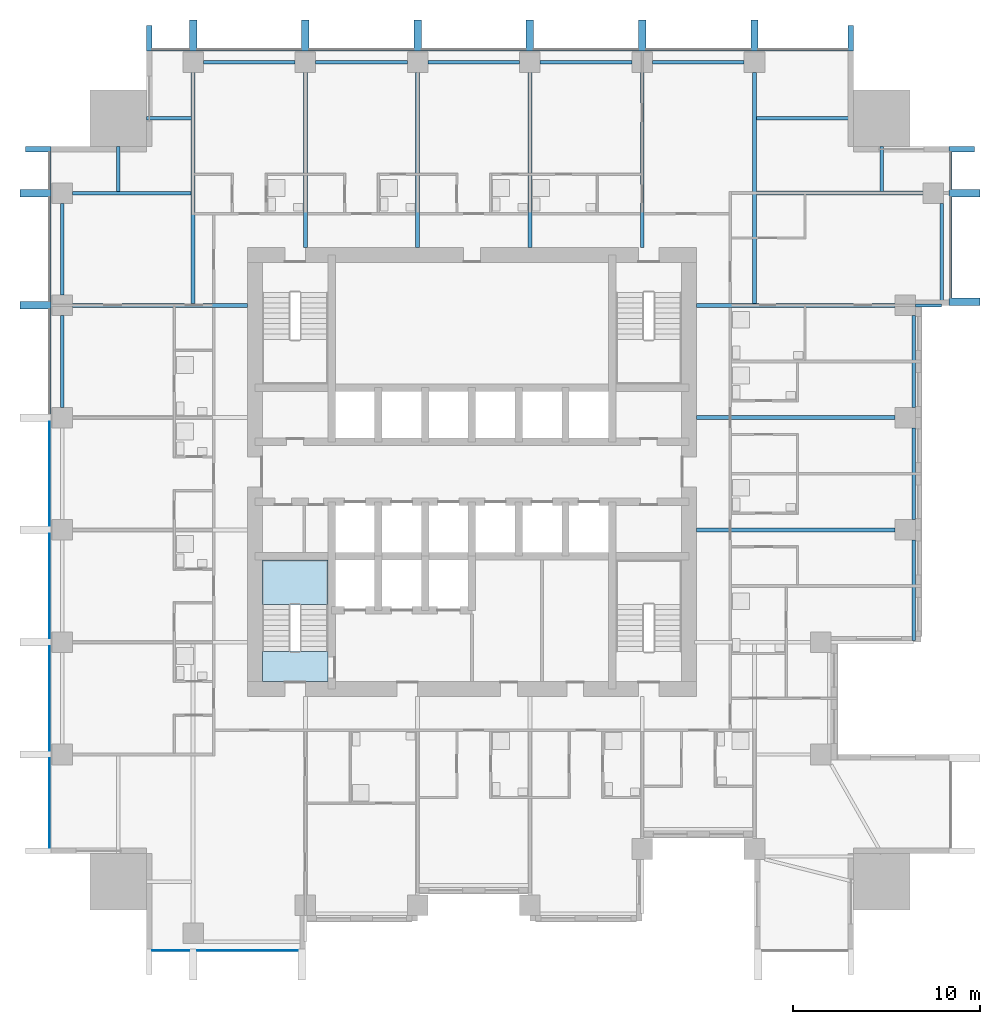
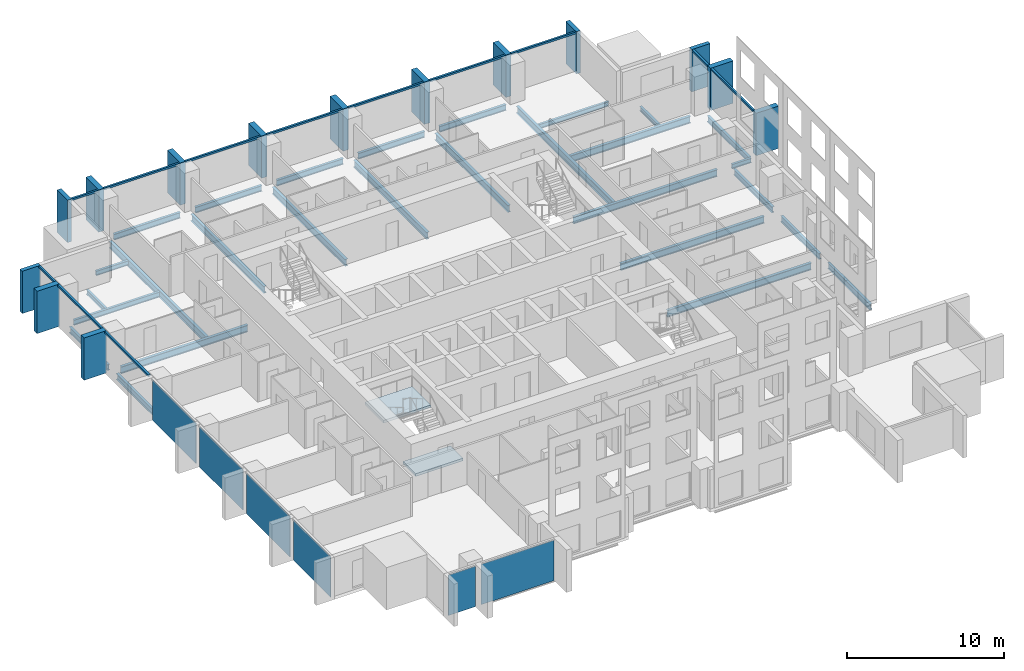
# One storey, part 2 of 12: 28 beams, 26 members, 6 plates, 2 slabs, 5 elements without a shape of their own.
"""IFC4 building model written with IfcOpenShell, lengths in metres."""

from ifc_helpers import new_model, si_unit, direction, frame, origin, origin_2d, place, context, subcontext, project, spatial, polyline, rectangle, i_section, outline, extrude, material, layer, layer_set, material_profile, profile_set, type_object, element, aggregate, save


model = new_model("IFC4")

# Units and contexts
model_context = context("Model", 3, precision=1e-05, world=origin(), true_north=direction((0.0, 1.0)))
body_context = subcontext(model_context, "Body", "Model", "MODEL_VIEW")
ifc_project = project(units=[si_unit("LENGTHUNIT", "METRE"), si_unit("AREAUNIT", "SQUARE_METRE"), si_unit("VOLUMEUNIT", "CUBIC_METRE"), si_unit("PLANEANGLEUNIT", "RADIAN"), si_unit("MASSUNIT", "GRAM", prefix="KILO")], contexts=[model_context])

# Site, building, storey
site_placement = place(None, origin())
site = spatial("IfcSite", under=ifc_project, at=site_placement, CompositionType="ELEMENT")
building_placement = place(site_placement, origin())
building = spatial("IfcBuilding", under=site, at=building_placement, Name="Amberfall Residences", CompositionType="ELEMENT")
storey_placement = place(building_placement, frame((0.0, 0.0, 88.60009765625)))
storey = spatial("IfcBuildingStorey", under=building, at=storey_placement, Name="L23", CompositionType="ELEMENT", Elevation=88.60009765625)

# Curtain wall, members
ifc_material_1 = material(Name="Bronze anodised aluminium and glass", Category="aluminium")
curtain_wall_type = type_object("IfcCurtainWallType", Name="Curtain wall CW1 tower unit", PredefinedType="USERDEFINED", material=ifc_material_1)
curtain_wall_1_placement = place(storey_placement, origin())
curtain_wall_1 = element("IfcCurtainWall", 1, at=curtain_wall_1_placement, inside=storey, type_object=curtain_wall_type, Name="Curtain wall L23 E E9", ObjectType="UNITISED CURTAIN WALL", PredefinedType="USERDEFINED")
ifc_material_2 = material(Name="Bronze anodised aluminium", Category="aluminium")
ifc_material_profile_1 = material_profile(ifc_material_2, rectangle(XDim=0.14990234375, YDim=0.14990234375, at=origin_2d()), Name="CW1 transom 150 x 150 bronze")
ifc_profile_set_1 = profile_set([ifc_material_profile_1], Name="Bronze anodised aluminium")
member_type_1 = type_object("IfcMemberType", Name="CW1 transom 150 x 150 bronze", PredefinedType="USERDEFINED", material=ifc_profile_set_1)
member_1_placement = place(storey_placement, frame((100.074951171875, 54.800048828125, 2.974853515625), z_axis=(0.0, 1.0, 0.0), x_axis=(-1.0, 0.0, 0.0)))
member_1 = element("IfcMember", 2, at=member_1_placement, type_object=member_type_1, Name="CW1 transom 1.1", ObjectType="TRANSOM", PredefinedType="USERDEFINED", context=body_context, shape_type="SweptSolid", body=[
    extrude(rectangle(XDim=0.14990234375, YDim=0.14990234375, at=origin_2d()), origin(), (0.0, 0.0, 1.0), 5.39990234375),
])
member_2_placement = place(storey_placement, frame((100.074951171875, 60.60009765625, 2.974853515625), z_axis=(0.0, 1.0, 0.0), x_axis=(-1.0, 0.0, 0.0)))
member_2 = element("IfcMember", 3, at=member_2_placement, type_object=member_type_1, Name="CW1 transom 2.1", ObjectType="TRANSOM", PredefinedType="USERDEFINED", context=body_context, shape_type="SweptSolid", body=[
    extrude(rectangle(XDim=0.14990234375, YDim=0.14990234375, at=origin_2d()), origin(), (0.0, 0.0, 1.0), 2.0),
])

curtain_wall_2_placement = place(storey_placement, origin())
curtain_wall_2 = element("IfcCurtainWall", 4, at=curtain_wall_2_placement, inside=storey, type_object=curtain_wall_type, Name="Curtain wall L23 N N1", ObjectType="UNITISED CURTAIN WALL", PredefinedType="USERDEFINED")
member_3_placement = place(storey_placement, frame((94.60009765625, 68.074951171875, 2.974853515625), z_axis=(-1.0, 0.0, 0.0), x_axis=(0.0, -1.0, 0.0)))
member_3 = element("IfcMember", 5, at=member_3_placement, type_object=member_type_1, Name="CW1 transom 1.1", ObjectType="TRANSOM", PredefinedType="USERDEFINED", context=body_context, shape_type="SweptSolid", body=[
    extrude(rectangle(XDim=0.14990234375, YDim=0.14990234375, at=origin_2d()), origin(), (0.0, 0.0, 1.0), 4.800048828125),
])
member_4_placement = place(storey_placement, frame((89.39990234375, 68.074951171875, 2.974853515625), z_axis=(-1.0, 0.0, 0.0), x_axis=(0.0, -1.0, 0.0)))
member_4 = element("IfcMember", 6, at=member_4_placement, type_object=member_type_1, Name="CW1 transom 2.1", ObjectType="TRANSOM", PredefinedType="USERDEFINED", context=body_context, shape_type="SweptSolid", body=[
    extrude(rectangle(XDim=0.14990234375, YDim=0.14990234375, at=origin_2d()), origin(), (0.0, 0.0, 1.0), 5.599853515625),
])
member_5_placement = place(storey_placement, frame((83.39990234375, 68.074951171875, 2.974853515625), z_axis=(-1.0, 0.0, 0.0), x_axis=(0.0, -1.0, 0.0)))
member_5 = element("IfcMember", 7, at=member_5_placement, type_object=member_type_1, Name="CW1 transom 3.1", ObjectType="TRANSOM", PredefinedType="USERDEFINED", context=body_context, shape_type="SweptSolid", body=[
    extrude(rectangle(XDim=0.14990234375, YDim=0.14990234375, at=origin_2d()), origin(), (0.0, 0.0, 1.0), 5.599853515625),
])
member_6_placement = place(storey_placement, frame((77.39990234375, 68.074951171875, 2.974853515625), z_axis=(-1.0, 0.0, 0.0), x_axis=(0.0, -1.0, 0.0)))
member_6 = element("IfcMember", 8, at=member_6_placement, type_object=member_type_1, Name="CW1 transom 4.1", ObjectType="TRANSOM", PredefinedType="USERDEFINED", context=body_context, shape_type="SweptSolid", body=[
    extrude(rectangle(XDim=0.14990234375, YDim=0.14990234375, at=origin_2d()), origin(), (0.0, 0.0, 1.0), 5.599853515625),
])
member_7_placement = place(storey_placement, frame((71.39990234375, 68.074951171875, 2.974853515625), z_axis=(-1.0, 0.0, 0.0), x_axis=(0.0, -1.0, 0.0)))
member_7 = element("IfcMember", 9, at=member_7_placement, type_object=member_type_1, Name="CW1 transom 5.1", ObjectType="TRANSOM", PredefinedType="USERDEFINED", context=body_context, shape_type="SweptSolid", body=[
    extrude(rectangle(XDim=0.14990234375, YDim=0.14990234375, at=origin_2d()), origin(), (0.0, 0.0, 1.0), 5.599853515625),
])
member_8_placement = place(storey_placement, frame((65.39990234375, 68.074951171875, 2.974853515625), z_axis=(-1.0, 0.0, 0.0), x_axis=(0.0, -1.0, 0.0)))
member_8 = element("IfcMember", 10, at=member_8_placement, type_object=member_type_1, Name="CW1 transom 6.1", ObjectType="TRANSOM", PredefinedType="USERDEFINED", context=body_context, shape_type="SweptSolid", body=[
    extrude(rectangle(XDim=0.14990234375, YDim=0.14990234375, at=origin_2d()), origin(), (0.0, 0.0, 1.0), 5.599853515625),
])
member_9_placement = place(storey_placement, frame((59.39990234375, 68.074951171875, 2.974853515625), z_axis=(-1.0, 0.0, 0.0), x_axis=(0.0, -1.0, 0.0)))
member_9 = element("IfcMember", 11, at=member_9_placement, type_object=member_type_1, Name="CW1 transom 7.1", ObjectType="TRANSOM", PredefinedType="USERDEFINED", context=body_context, shape_type="SweptSolid", body=[
    extrude(rectangle(XDim=0.14990234375, YDim=0.14990234375, at=origin_2d()), origin(), (0.0, 0.0, 1.0), 2.0),
])

curtain_wall_3_placement = place(storey_placement, origin())
curtain_wall_3 = element("IfcCurtainWall", 12, at=curtain_wall_3_placement, inside=storey, type_object=curtain_wall_type, Name="Curtain wall L23 W W1", ObjectType="UNITISED CURTAIN WALL", PredefinedType="USERDEFINED")
member_10_placement = place(storey_placement, frame((51.925048828125, 62.60009765625, 2.974853515625), z_axis=(0.0, -1.0, 0.0), x_axis=(1.0, 0.0, 0.0)))
member_10 = element("IfcMember", 13, at=member_10_placement, type_object=member_type_1, Name="CW1 transom 1.1", ObjectType="TRANSOM", PredefinedType="USERDEFINED", context=body_context, shape_type="SweptSolid", body=[
    extrude(rectangle(XDim=0.14990234375, YDim=0.14990234375, at=origin_2d()), origin(), (0.0, 0.0, 1.0), 2.0),
])
member_11_placement = place(storey_placement, frame((51.925048828125, 60.199951171875, 2.974853515625), z_axis=(0.0, -1.0, 0.0), x_axis=(1.0, 0.0, 0.0)))
member_11 = element("IfcMember", 14, at=member_11_placement, type_object=member_type_1, Name="CW1 transom 2.1", ObjectType="TRANSOM", PredefinedType="USERDEFINED", context=body_context, shape_type="SweptSolid", body=[
    extrude(rectangle(XDim=0.14990234375, YDim=0.14990234375, at=origin_2d()), origin(), (0.0, 0.0, 1.0), 5.599853515625),
])
member_12_placement = place(storey_placement, frame((51.925048828125, 54.199951171875, 2.974853515625), z_axis=(0.0, -1.0, 0.0), x_axis=(1.0, 0.0, 0.0)))
member_12 = element("IfcMember", 15, at=member_12_placement, type_object=member_type_1, Name="CW1 transom 3.1", ObjectType="TRANSOM", PredefinedType="USERDEFINED", context=body_context, shape_type="SweptSolid", body=[
    extrude(rectangle(XDim=0.14990234375, YDim=0.14990234375, at=origin_2d()), origin(), (0.0, 0.0, 1.0), 5.599853515625),
])

# Beam
ifc_material_3 = material(Name="Steel S355", Category="steel")
ifc_material_profile_2 = material_profile(ifc_material_3, i_section(OverallWidth=0.171142578125, OverallDepth=0.351318359375, WebThickness=0.007080078125, FlangeThickness=0.009765625, FilletRadius=0.01025390625, at=origin_2d()), Name="UB 356x171x45")
ifc_profile_set_2 = profile_set([ifc_material_profile_2], Name="Steel S355")
beam_type_1 = type_object("IfcBeamType", Name="Cantilever girder UB 356x171x45", PredefinedType="BEAM", material=ifc_profile_set_2)
beam_1_placement = place(storey_placement, frame((98.199951171875, 54.39990234375, -0.42578125), z_axis=(1.0, 0.0, 0.0), x_axis=(0.0, 1.0, 0.0)))
element("IfcBeam", 16, at=beam_1_placement, inside=storey, type_object=beam_type_1, Name="Cantilever girder B8 L23 20", PredefinedType="BEAM", context=body_context, shape_type="SweptSolid", body=[
    extrude(i_section(OverallWidth=0.171142578125, OverallDepth=0.351318359375, WebThickness=0.007080078125, FlangeThickness=0.009765625, FilletRadius=0.01025390625, at=origin_2d()), origin(), (0.0, 0.0, 1.0), 1.400146484375),
])

# Member
ifc_material_profile_3 = material_profile(ifc_material_2, rectangle(XDim=1.35009765625, YDim=0.300048828125, at=origin_2d()), Name="Corner fin 300 x 1350 bronze")
ifc_profile_set_3 = profile_set([ifc_material_profile_3], Name="Bronze anodised aluminium")
member_type_2 = type_object("IfcMemberType", Name="Corner fin 300 x 1350 bronze", PredefinedType="MULLION", material=ifc_profile_set_3)
member_13_placement = place(storey_placement, frame((100.675048828125, 62.75, -0.25), z_axis=(0.0, 0.0, 1.0), x_axis=(-1.0, 0.0, 0.0)))
member_13 = element("IfcMember", 17, at=member_13_placement, type_object=member_type_2, Name="CW FIN 3", PredefinedType="MULLION", context=body_context, shape_type="SweptSolid", body=[
    extrude(rectangle(XDim=1.35009765625, YDim=0.300048828125, at=origin_2d()), origin(), (0.0, 0.0, 1.0), 3.2998046875),
])

member_14_placement = place(storey_placement, frame((94.75, 68.675048828125, -0.25), z_axis=(0.0, 0.0, 1.0), x_axis=(0.0, -1.0, 0.0)))
member_14 = element("IfcMember", 18, at=member_14_placement, type_object=member_type_2, Name="CW FIN 1", PredefinedType="MULLION", context=body_context, shape_type="SweptSolid", body=[
    extrude(rectangle(XDim=1.35009765625, YDim=0.300048828125, at=origin_2d()), origin(), (0.0, 0.0, 1.0), 3.2998046875),
])

member_15_placement = place(storey_placement, frame((57.25, 68.675048828125, -0.25), z_axis=(0.0, 0.0, 1.0), x_axis=(0.0, -1.0, 0.0)))
member_15 = element("IfcMember", 19, at=member_15_placement, type_object=member_type_2, Name="CW FIN 8", PredefinedType="MULLION", context=body_context, shape_type="SweptSolid", body=[
    extrude(rectangle(XDim=1.35009765625, YDim=0.300048828125, at=origin_2d()), origin(), (0.0, 0.0, 1.0), 3.2998046875),
])

member_16_placement = place(storey_placement, frame((51.324951171875, 62.75, -0.25), z_axis=(0.0, 0.0, 1.0), x_axis=(1.0, 0.0, 0.0)))
member_16 = element("IfcMember", 20, at=member_16_placement, type_object=member_type_2, Name="CW FIN 1", PredefinedType="MULLION", context=body_context, shape_type="SweptSolid", body=[
    extrude(rectangle(XDim=1.35009765625, YDim=0.300048828125, at=origin_2d()), origin(), (0.0, 0.0, 1.0), 3.2998046875),
])

# Beams
ifc_material_profile_4 = material_profile(ifc_material_3, i_section(OverallWidth=0.18994140625, OverallDepth=0.453369140625, WebThickness=0.008544921875, FlangeThickness=0.0126953125, FilletRadius=0.01025390625, at=origin_2d()), Name="UB 457x191x67")
ifc_profile_set_4 = profile_set([ifc_material_profile_4], Name="Steel S355")
beam_type_2 = type_object("IfcBeamType", Name="Edge beam UB 457x191x67", PredefinedType="SPANDREL", material=ifc_profile_set_4)
beam_2_placement = place(storey_placement, frame((98.10009765625, 36.47998046875, -0.476806640625), z_axis=(0.0, 1.0, 0.0), x_axis=(-1.0, 0.0, 0.0)))
element("IfcBeam", 21, at=beam_2_placement, inside=storey, type_object=beam_type_2, Name="Edge beam B1 L23 15", PredefinedType="SPANDREL", context=body_context, shape_type="SweptSolid", body=[
    extrude(i_section(OverallWidth=0.18994140625, OverallDepth=0.453369140625, WebThickness=0.008544921875, FlangeThickness=0.0126953125, FilletRadius=0.01025390625, at=origin_2d()), origin(), (0.0, 0.0, 1.0), 5.3701171875),
])
for number, where, z_axis, x_axis, name in (
    (22, (98.10009765625, 42.949951171875, -0.476806640625), (0.0, 1.0, 0.0), (-1.0, 0.0, 0.0), "Edge beam B1 L23 16"),
    (23, (98.10009765625, 48.949951171875, -0.476806640625), (0.0, 1.0, 0.0), (-1.0, 0.0, 0.0), "Edge beam B1 L23 17"),
):
    element("IfcBeam", number, at=place(storey_placement, frame(where, z_axis=z_axis, x_axis=x_axis)), inside=storey, type_object=beam_type_2, Name=name, PredefinedType="SPANDREL", context=body_context, shape_type="SweptSolid", body=[
        extrude(i_section(OverallWidth=0.18994140625, OverallDepth=0.453369140625, WebThickness=0.008544921875, FlangeThickness=0.0126953125, FilletRadius=0.01025390625, at=origin_2d()), origin(), (0.0, 0.0, 1.0), 4.900146484375),
    ])
beam_3_placement = place(storey_placement, frame((99.60009765625, 54.47998046875, -0.476806640625), z_axis=(0.0, 1.0, 0.0), x_axis=(-1.0, 0.0, 0.0)))
element("IfcBeam", 24, at=beam_3_placement, inside=storey, type_object=beam_type_2, Name="Edge beam B1 L23 18", PredefinedType="SPANDREL", context=body_context, shape_type="SweptSolid", body=[
    extrude(i_section(OverallWidth=0.18994140625, OverallDepth=0.453369140625, WebThickness=0.008544921875, FlangeThickness=0.0126953125, FilletRadius=0.01025390625, at=origin_2d()), origin(), (0.0, 0.0, 1.0), 5.3701171875),
])
for number, where, z_axis, x_axis, name in (
    (25, (60.14990234375, 67.39990234375, -0.476806640625), (1.0, 0.0, 0.0), (0.0, 1.0, 0.0), "Edge beam B1 L23 27"),
    (26, (66.14990234375, 67.39990234375, -0.476806640625), (1.0, 0.0, 0.0), (0.0, 1.0, 0.0), "Edge beam B1 L23 28"),
    (27, (72.14990234375, 67.39990234375, -0.476806640625), (1.0, 0.0, 0.0), (0.0, 1.0, 0.0), "Edge beam B1 L23 29"),
    (28, (78.14990234375, 67.39990234375, -0.476806640625), (1.0, 0.0, 0.0), (0.0, 1.0, 0.0), "Edge beam B1 L23 30"),
    (29, (84.14990234375, 67.39990234375, -0.476806640625), (1.0, 0.0, 0.0), (0.0, 1.0, 0.0), "Edge beam B1 L23 31"),
    (30, (52.60009765625, 48.949951171875, -0.476806640625), (0.0, 1.0, 0.0), (-1.0, 0.0, 0.0), "Edge beam B1 L23 41"),
    (31, (52.60009765625, 54.949951171875, -0.476806640625), (0.0, 1.0, 0.0), (-1.0, 0.0, 0.0), "Edge beam B1 L23 42"),
):
    element("IfcBeam", number, at=place(storey_placement, frame(where, z_axis=z_axis, x_axis=x_axis)), inside=storey, type_object=beam_type_2, Name=name, PredefinedType="SPANDREL", context=body_context, shape_type="SweptSolid", body=[
        extrude(i_section(OverallWidth=0.18994140625, OverallDepth=0.453369140625, WebThickness=0.008544921875, FlangeThickness=0.0126953125, FilletRadius=0.01025390625, at=origin_2d()), origin(), (0.0, 0.0, 1.0), 4.900146484375),
    ])

# Member
ifc_material_profile_5 = material_profile(ifc_material_2, rectangle(XDim=1.64990234375, YDim=0.39990234375, at=origin_2d()), Name="Fin 400 x 1650 bronze")
ifc_profile_set_5 = profile_set([ifc_material_profile_5], Name="Bronze anodised aluminium")
member_type_3 = type_object("IfcMemberType", Name="Fin 400 x 1650 bronze", PredefinedType="MULLION", material=ifc_profile_set_5)
member_17_placement = place(storey_placement, frame((100.824951171875, 54.60009765625, -0.25), z_axis=(0.0, 0.0, 1.0), x_axis=(-1.0, 0.0, 0.0)))
member_17 = element("IfcMember", 32, at=member_17_placement, type_object=member_type_3, Name="CW FIN 1", PredefinedType="MULLION", context=body_context, shape_type="SweptSolid", body=[
    extrude(rectangle(XDim=1.64990234375, YDim=0.39990234375, at=origin_2d()), origin(), (0.0, 0.0, 1.0), 3.2998046875),
])

member_18_placement = place(storey_placement, frame((100.824951171875, 60.39990234375, -0.25), z_axis=(0.0, 0.0, 1.0), x_axis=(-1.0, 0.0, 0.0)))
member_18 = element("IfcMember", 33, at=member_18_placement, type_object=member_type_3, Name="CW FIN 2", PredefinedType="MULLION", context=body_context, shape_type="SweptSolid", body=[
    extrude(rectangle(XDim=1.64990234375, YDim=0.39990234375, at=origin_2d()), origin(), (0.0, 0.0, 1.0), 3.2998046875),
])

aggregate(curtain_wall_1, [member_17, member_18, member_13, member_1, member_2])

member_19_placement = place(storey_placement, frame((89.60009765625, 68.824951171875, -0.25), z_axis=(0.0, 0.0, 1.0), x_axis=(0.0, -1.0, 0.0)))
member_19 = element("IfcMember", 34, at=member_19_placement, type_object=member_type_3, Name="CW FIN 2", PredefinedType="MULLION", context=body_context, shape_type="SweptSolid", body=[
    extrude(rectangle(XDim=1.64990234375, YDim=0.39990234375, at=origin_2d()), origin(), (0.0, 0.0, 1.0), 3.2998046875),
])

member_20_placement = place(storey_placement, frame((83.60009765625, 68.824951171875, -0.25), z_axis=(0.0, 0.0, 1.0), x_axis=(0.0, -1.0, 0.0)))
member_20 = element("IfcMember", 35, at=member_20_placement, type_object=member_type_3, Name="CW FIN 3", PredefinedType="MULLION", context=body_context, shape_type="SweptSolid", body=[
    extrude(rectangle(XDim=1.64990234375, YDim=0.39990234375, at=origin_2d()), origin(), (0.0, 0.0, 1.0), 3.2998046875),
])

member_21_placement = place(storey_placement, frame((77.60009765625, 68.824951171875, -0.25), z_axis=(0.0, 0.0, 1.0), x_axis=(0.0, -1.0, 0.0)))
member_21 = element("IfcMember", 36, at=member_21_placement, type_object=member_type_3, Name="CW FIN 4", PredefinedType="MULLION", context=body_context, shape_type="SweptSolid", body=[
    extrude(rectangle(XDim=1.64990234375, YDim=0.39990234375, at=origin_2d()), origin(), (0.0, 0.0, 1.0), 3.2998046875),
])

member_22_placement = place(storey_placement, frame((71.60009765625, 68.824951171875, -0.25), z_axis=(0.0, 0.0, 1.0), x_axis=(0.0, -1.0, 0.0)))
member_22 = element("IfcMember", 37, at=member_22_placement, type_object=member_type_3, Name="CW FIN 5", PredefinedType="MULLION", context=body_context, shape_type="SweptSolid", body=[
    extrude(rectangle(XDim=1.64990234375, YDim=0.39990234375, at=origin_2d()), origin(), (0.0, 0.0, 1.0), 3.2998046875),
])

member_23_placement = place(storey_placement, frame((65.60009765625, 68.824951171875, -0.25), z_axis=(0.0, 0.0, 1.0), x_axis=(0.0, -1.0, 0.0)))
member_23 = element("IfcMember", 38, at=member_23_placement, type_object=member_type_3, Name="CW FIN 6", PredefinedType="MULLION", context=body_context, shape_type="SweptSolid", body=[
    extrude(rectangle(XDim=1.64990234375, YDim=0.39990234375, at=origin_2d()), origin(), (0.0, 0.0, 1.0), 3.2998046875),
])

member_24_placement = place(storey_placement, frame((59.60009765625, 68.824951171875, -0.25), z_axis=(0.0, 0.0, 1.0), x_axis=(0.0, -1.0, 0.0)))
member_24 = element("IfcMember", 39, at=member_24_placement, type_object=member_type_3, Name="CW FIN 7", PredefinedType="MULLION", context=body_context, shape_type="SweptSolid", body=[
    extrude(rectangle(XDim=1.64990234375, YDim=0.39990234375, at=origin_2d()), origin(), (0.0, 0.0, 1.0), 3.2998046875),
])

aggregate(curtain_wall_2, [member_14, member_19, member_20, member_21, member_22, member_23, member_24, member_15, member_3, member_4, member_5, member_6, member_7, member_8, member_9])

member_25_placement = place(storey_placement, frame((51.175048828125, 60.39990234375, -0.25), z_axis=(0.0, 0.0, 1.0), x_axis=(1.0, 0.0, 0.0)))
member_25 = element("IfcMember", 40, at=member_25_placement, type_object=member_type_3, Name="CW FIN 2", PredefinedType="MULLION", context=body_context, shape_type="SweptSolid", body=[
    extrude(rectangle(XDim=1.64990234375, YDim=0.39990234375, at=origin_2d()), origin(), (0.0, 0.0, 1.0), 3.2998046875),
])

member_26_placement = place(storey_placement, frame((51.175048828125, 54.39990234375, -0.25), z_axis=(0.0, 0.0, 1.0), x_axis=(1.0, 0.0, 0.0)))
member_26 = element("IfcMember", 41, at=member_26_placement, type_object=member_type_3, Name="CW FIN 3", PredefinedType="MULLION", context=body_context, shape_type="SweptSolid", body=[
    extrude(rectangle(XDim=1.64990234375, YDim=0.39990234375, at=origin_2d()), origin(), (0.0, 0.0, 1.0), 3.2998046875),
])

# Beams
ifc_material_profile_6 = material_profile(ifc_material_3, i_section(OverallWidth=0.177734375, OverallDepth=0.402587890625, WebThickness=0.0078125, FlangeThickness=0.010986328125, FilletRadius=0.01025390625, at=origin_2d()), Name="UB 406x178x54")
ifc_profile_set_6 = profile_set([ifc_material_profile_6], Name="Steel S355")
beam_type_3 = type_object("IfcBeamType", Name="Floor girder UB 406x178x54", PredefinedType="BEAM", material=ifc_profile_set_6)
beam_4_placement = place(storey_placement, frame((53.14990234375, 60.39990234375, -0.451416015625), z_axis=(1.0, 0.0, 0.0), x_axis=(0.0, 1.0, 0.0)))
element("IfcBeam", 42, at=beam_4_placement, inside=storey, type_object=beam_type_3, Name="Floor girder B4 L23 48", PredefinedType="BEAM", context=body_context, shape_type="SweptSolid", body=[
    extrude(i_section(OverallWidth=0.177734375, OverallDepth=0.402587890625, WebThickness=0.0078125, FlangeThickness=0.010986328125, FilletRadius=0.01025390625, at=origin_2d()), origin(), (0.0, 0.0, 1.0), 6.330078125),
])
ifc_material_profile_7 = material_profile(ifc_material_3, i_section(OverallWidth=0.210693359375, OverallDepth=0.53955078125, WebThickness=0.01171875, FlangeThickness=0.018798828125, FilletRadius=0.0126953125, at=origin_2d()), Name="UB 533x210x109")
ifc_profile_set_7 = profile_set([ifc_material_profile_7], Name="Steel S355")
beam_type_4 = type_object("IfcBeamType", Name="Floor girder UB 533x210x109", PredefinedType="BEAM", material=ifc_profile_set_7)
for number, where, z_axis, x_axis, name in (
    (43, (59.60009765625, 66.85009765625, -0.519775390625), (0.0, -1.0, 0.0), (1.0, 0.0, 0.0), "Floor girder B2 L23 32"),
    (44, (89.60009765625, 66.85009765625, -0.519775390625), (0.0, -1.0, 0.0), (1.0, 0.0, 0.0), "Floor girder B2 L23 37"),
):
    element("IfcBeam", number, at=place(storey_placement, frame(where, z_axis=z_axis, x_axis=x_axis)), inside=storey, type_object=beam_type_4, Name=name, PredefinedType="BEAM", context=body_context, shape_type="SweptSolid", body=[
        extrude(i_section(OverallWidth=0.210693359375, OverallDepth=0.53955078125, WebThickness=0.01171875, FlangeThickness=0.018798828125, FilletRadius=0.0126953125, at=origin_2d()), origin(), (0.0, 0.0, 1.0), 12.3505859375),
    ])
ifc_material_profile_8 = material_profile(ifc_material_3, i_section(OverallWidth=0.209228515625, OverallDepth=0.533203125, WebThickness=0.010009765625, FlangeThickness=0.015625, FilletRadius=0.0126953125, at=origin_2d()), Name="UB 533x210x92")
ifc_profile_set_8 = profile_set([ifc_material_profile_8], Name="Steel S355")
beam_type_5 = type_object("IfcBeamType", Name="Floor girder UB 533x210x92", PredefinedType="BEAM", material=ifc_profile_set_8)
for number, where, z_axis, x_axis, name in (
    (45, (97.10009765625, 42.39990234375, -0.5166015625), (-1.0, 0.0, 0.0), (0.0, -1.0, 0.0), "Floor girder B3 L23 23"),
    (46, (97.10009765625, 48.39990234375, -0.5166015625), (-1.0, 0.0, 0.0), (0.0, -1.0, 0.0), "Floor girder B3 L23 24"),
    (47, (97.10009765625, 54.39990234375, -0.5166015625), (-1.0, 0.0, 0.0), (0.0, -1.0, 0.0), "Floor girder B3 L23 25"),
):
    element("IfcBeam", number, at=place(storey_placement, frame(where, z_axis=z_axis, x_axis=x_axis)), inside=storey, type_object=beam_type_5, Name=name, PredefinedType="BEAM", context=body_context, shape_type="SweptSolid", body=[
        extrude(i_section(OverallWidth=0.209228515625, OverallDepth=0.533203125, WebThickness=0.010009765625, FlangeThickness=0.015625, FilletRadius=0.0126953125, at=origin_2d()), origin(), (0.0, 0.0, 1.0), 10.60009765625),
    ])
beam_5_placement = place(storey_placement, frame((98.60009765625, 60.39990234375, -0.5166015625), z_axis=(-1.0, 0.0, 0.0), x_axis=(0.0, -1.0, 0.0)))
element("IfcBeam", 48, at=beam_5_placement, inside=storey, type_object=beam_type_5, Name="Floor girder B3 L23 26", PredefinedType="BEAM", context=body_context, shape_type="SweptSolid", body=[
    extrude(i_section(OverallWidth=0.209228515625, OverallDepth=0.533203125, WebThickness=0.010009765625, FlangeThickness=0.015625, FilletRadius=0.0126953125, at=origin_2d()), origin(), (0.0, 0.0, 1.0), 8.880126953125),
])
for number, where, z_axis, x_axis, name in (
    (49, (65.60009765625, 66.85009765625, -0.5166015625), (0.0, -1.0, 0.0), (1.0, 0.0, 0.0), "Floor girder B3 L23 33"),
    (50, (71.60009765625, 66.85009765625, -0.5166015625), (0.0, -1.0, 0.0), (1.0, 0.0, 0.0), "Floor girder B3 L23 34"),
    (51, (77.60009765625, 66.85009765625, -0.5166015625), (0.0, -1.0, 0.0), (1.0, 0.0, 0.0), "Floor girder B3 L23 35"),
    (52, (83.60009765625, 66.85009765625, -0.5166015625), (0.0, -1.0, 0.0), (1.0, 0.0, 0.0), "Floor girder B3 L23 36"),
    (53, (53.14990234375, 54.39990234375, -0.5166015625), (1.0, 0.0, 0.0), (0.0, 1.0, 0.0), "Floor girder B3 L23 47"),
):
    element("IfcBeam", number, at=place(storey_placement, frame(where, z_axis=z_axis, x_axis=x_axis)), inside=storey, type_object=beam_type_5, Name=name, PredefinedType="BEAM", context=body_context, shape_type="SweptSolid", body=[
        extrude(i_section(OverallWidth=0.209228515625, OverallDepth=0.533203125, WebThickness=0.010009765625, FlangeThickness=0.015625, FilletRadius=0.0126953125, at=origin_2d()), origin(), (0.0, 0.0, 1.0), 9.35009765625),
    ])
ifc_material_profile_9 = material_profile(ifc_material_3, i_section(OverallWidth=0.171142578125, OverallDepth=0.351318359375, WebThickness=0.007080078125, FlangeThickness=0.009765625, FilletRadius=0.01025390625, at=origin_2d()), Name="UB 356x171x45")
ifc_profile_set_9 = profile_set([ifc_material_profile_9], Name="Steel S355")
beam_type_6 = type_object("IfcBeamType", Name="Link beam UB 356x171x45", PredefinedType="BEAM", material=ifc_profile_set_9)
beam_6_placement = place(storey_placement, frame((94.89990234375, 64.39990234375, -0.42578125), z_axis=(-1.0, 0.0, 0.0), x_axis=(0.0, -1.0, 0.0)))
element("IfcBeam", 54, at=beam_6_placement, inside=storey, type_object=beam_type_6, Name="Link beam B7 L23 54", PredefinedType="BEAM", context=body_context, shape_type="SweptSolid", body=[
    extrude(i_section(OverallWidth=0.171142578125, OverallDepth=0.351318359375, WebThickness=0.007080078125, FlangeThickness=0.009765625, FilletRadius=0.01025390625, at=origin_2d()), origin(), (0.0, 0.0, 1.0), 5.20458984375),
])
beam_7_placement = place(storey_placement, frame((96.39990234375, 62.89990234375, -0.42578125), z_axis=(0.0, -1.0, 0.0), x_axis=(1.0, 0.0, 0.0)))
element("IfcBeam", 55, at=beam_7_placement, inside=storey, type_object=beam_type_6, Name="Link beam B7 L23 55", PredefinedType="BEAM", context=body_context, shape_type="SweptSolid", body=[
    extrude(i_section(OverallWidth=0.171142578125, OverallDepth=0.351318359375, WebThickness=0.007080078125, FlangeThickness=0.009765625, FilletRadius=0.01025390625, at=origin_2d()), origin(), (0.0, 0.0, 1.0), 2.4052734375),
])
beam_8_placement = place(storey_placement, frame((57.10009765625, 64.39990234375, -0.42578125), z_axis=(1.0, 0.0, 0.0), x_axis=(0.0, 1.0, 0.0)))
element("IfcBeam", 56, at=beam_8_placement, inside=storey, type_object=beam_type_6, Name="Link beam B7 L23 56", PredefinedType="BEAM", context=body_context, shape_type="SweptSolid", body=[
    extrude(i_section(OverallWidth=0.171142578125, OverallDepth=0.351318359375, WebThickness=0.007080078125, FlangeThickness=0.009765625, FilletRadius=0.01025390625, at=origin_2d()), origin(), (0.0, 0.0, 1.0), 2.404541015625),
])
beam_9_placement = place(storey_placement, frame((55.60009765625, 62.89990234375, -0.42578125), z_axis=(0.0, -1.0, 0.0), x_axis=(1.0, 0.0, 0.0)))
element("IfcBeam", 57, at=beam_9_placement, inside=storey, type_object=beam_type_6, Name="Link beam B7 L23 57", PredefinedType="BEAM", context=body_context, shape_type="SweptSolid", body=[
    extrude(i_section(OverallWidth=0.171142578125, OverallDepth=0.351318359375, WebThickness=0.007080078125, FlangeThickness=0.009765625, FilletRadius=0.01025390625, at=origin_2d()), origin(), (0.0, 0.0, 1.0), 2.4208984375),
])

# Curtain wall, plates
curtain_wall_4_placement = place(storey_placement, origin())
curtain_wall_4 = element("IfcCurtainWall", 58, at=curtain_wall_4_placement, inside=storey, type_object=curtain_wall_type, Name="Curtain wall L23 S S1", ObjectType="UNITISED CURTAIN WALL", PredefinedType="USERDEFINED")
ifc_material_4 = material(Name="Tinted double glazed unit", Category="glass")
ifc_layer_1 = layer(ifc_material_4, 0.035888671875)
ifc_layer_set_1 = layer_set([ifc_layer_1], Name="CW1 panel 36 glazing")
plate_type = type_object("IfcPlateType", Name="CW1 panel 36 glazing", PredefinedType="CURTAIN_PANEL", material=ifc_layer_set_1)
plate_1_placement = place(storey_placement, frame((58.39990234375, 19.925048828125, -0.25), z_axis=(0.0, 0.0, 1.0), x_axis=(1.0, 0.0, 0.0)))
plate_1 = element("IfcPlate", 59, at=plate_1_placement, type_object=plate_type, Name="CW1 panel 1.1", PredefinedType="CURTAIN_PANEL", context=body_context, shape_type="SweptSolid", body=[
    extrude(rectangle(XDim=1.97607421875, YDim=0.035888671875, at=origin_2d()), origin(), (0.0, 0.0, 1.0), 3.14990234375),
])
plate_2_placement = place(storey_placement, frame((62.5, 19.925048828125, -0.25), z_axis=(0.0, 0.0, 1.0), x_axis=(1.0, 0.0, 0.0)))
plate_2 = element("IfcPlate", 60, at=plate_2_placement, type_object=plate_type, Name="CW1 panel 2.1", PredefinedType="CURTAIN_PANEL", context=body_context, shape_type="SweptSolid", body=[
    extrude(rectangle(XDim=5.3759765625, YDim=0.035888671875, at=origin_2d()), origin(), (0.0, 0.0, 1.0), 3.14990234375),
])
aggregate(curtain_wall_4, [plate_1, plate_2])

# Plate
plate_3_placement = place(storey_placement, frame((51.925048828125, 45.39990234375, -0.25), z_axis=(0.0, 0.0, 1.0), x_axis=(0.0, -1.0, 0.0)))
plate_3 = element("IfcPlate", 61, at=plate_3_placement, type_object=plate_type, Name="CW1 panel 4.1", PredefinedType="CURTAIN_PANEL", context=body_context, shape_type="SweptSolid", body=[
    extrude(rectangle(XDim=5.575927734375, YDim=0.035888671875, at=origin_2d()), origin(), (0.0, 0.0, 1.0), 3.14990234375),
])

plate_4_placement = place(storey_placement, frame((51.925048828125, 39.39990234375, -0.25), z_axis=(0.0, 0.0, 1.0), x_axis=(0.0, -1.0, 0.0)))
plate_4 = element("IfcPlate", 62, at=plate_4_placement, type_object=plate_type, Name="CW1 panel 5.1", PredefinedType="CURTAIN_PANEL", context=body_context, shape_type="SweptSolid", body=[
    extrude(rectangle(XDim=5.575927734375, YDim=0.035888671875, at=origin_2d()), origin(), (0.0, 0.0, 1.0), 3.14990234375),
])

plate_5_placement = place(storey_placement, frame((51.925048828125, 33.39990234375, -0.25), z_axis=(0.0, 0.0, 1.0), x_axis=(0.0, -1.0, 0.0)))
plate_5 = element("IfcPlate", 63, at=plate_5_placement, type_object=plate_type, Name="CW1 panel 6.1", PredefinedType="CURTAIN_PANEL", context=body_context, shape_type="SweptSolid", body=[
    extrude(rectangle(XDim=5.575927734375, YDim=0.035888671875, at=origin_2d()), origin(), (0.0, 0.0, 1.0), 3.14990234375),
])

plate_6_placement = place(storey_placement, frame((51.925048828125, 27.800048828125, -0.25), z_axis=(0.0, 0.0, 1.0), x_axis=(0.0, -1.0, 0.0)))
plate_6 = element("IfcPlate", 64, at=plate_6_placement, type_object=plate_type, Name="CW1 panel 7.1", PredefinedType="CURTAIN_PANEL", context=body_context, shape_type="SweptSolid", body=[
    extrude(rectangle(XDim=4.77587890625, YDim=0.035888671875, at=origin_2d()), origin(), (0.0, 0.0, 1.0), 3.14990234375),
])

aggregate(curtain_wall_3, [member_16, member_25, member_26, member_10, member_11, member_12, plate_3, plate_4, plate_5, plate_6])

# Stair, slabs
ifc_material_5 = material(Name="Concrete C40", Category="concrete")
stair_type = type_object("IfcStairType", Name="Exit stair 20 risers 165.0 mm", PredefinedType="HALF_TURN_STAIR", material=ifc_material_5)
stair_placement = place(storey_placement, origin())
stair = element("IfcStair", 65, at=stair_placement, inside=storey, type_object=stair_type, Name="L23 Exit stair 1", PredefinedType="HALF_TURN_STAIR")
ifc_layer_2 = layer(ifc_material_5, 0.199951171875)
ifc_layer_set_2 = layer_set([ifc_layer_2], Name="Stair landing 200")
slab_type = type_object("IfcSlabType", Name="Stair landing 200", PredefinedType="LANDING", material=ifc_layer_set_2)
slab_1_placement = place(storey_placement, frame((0.0, 0.0, 1.449951171875)))
slab_1 = element("IfcSlab", 66, at=slab_1_placement, type_object=slab_type, Name="ST3 landing 1", PredefinedType="LANDING", context=body_context, shape_type="SweptSolid", body=[
    extrude(outline(polyline([(66.800048828125, 38.419921875), (66.800048828125, 40.800048828125), (63.300048828125, 40.800048828125), (63.300048828125, 38.419921875), (66.800048828125, 38.419921875)])), origin(), (0.0, 0.0, 1.0), 0.199951171875),
])
slab_2_placement = place(storey_placement, frame((0.0, 0.0, -0.2001953125)))
slab_2 = element("IfcSlab", 67, at=slab_2_placement, type_object=slab_type, Name="ST3 landing 2", PredefinedType="LANDING", context=body_context, shape_type="SweptSolid", body=[
    extrude(outline(polyline([(66.800048828125, 34.300048828125), (66.800048828125, 35.89990234375), (63.300048828125, 35.89990234375), (63.300048828125, 34.300048828125), (66.800048828125, 34.300048828125)])), origin(), (0.0, 0.0, 1.0), 0.2001953125),
])
aggregate(stair, [slab_1, slab_2])

save(model, "model.ifc")
